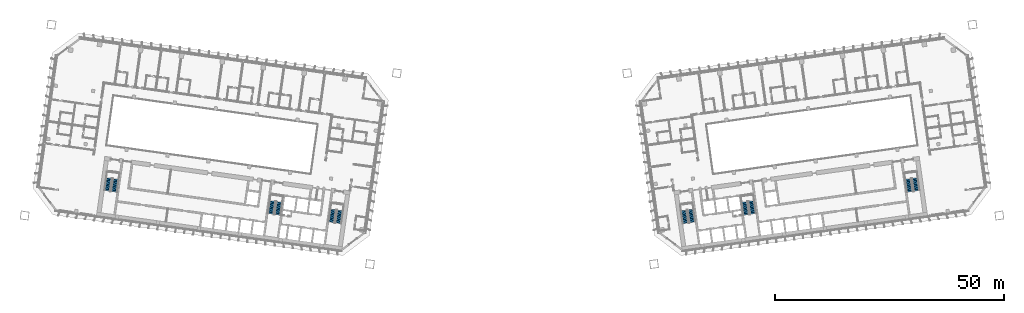
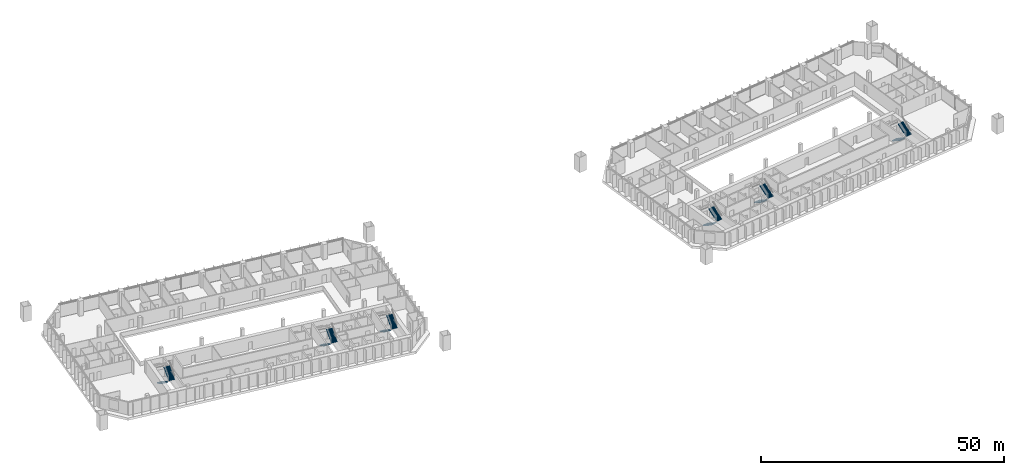
# One storey, part 22 of 24: 12 stair flights, 6 elements without a shape of their own.
"""IFC4 building model written with IfcOpenShell, lengths in metres."""

from ifc_helpers import new_model, si_unit, direction, frame, origin, place, context, subcontext, project, spatial, polyline, outline, extrude, material, type_object, element, aggregate, save


model = new_model("IFC4")

# Units and contexts
model_context = context("Model", 3, precision=1e-05, world=origin(), true_north=direction((0.0, 1.0)))
body_context = subcontext(model_context, "Body", "Model", "MODEL_VIEW")
ifc_project = project(units=[si_unit("LENGTHUNIT", "METRE"), si_unit("AREAUNIT", "SQUARE_METRE"), si_unit("VOLUMEUNIT", "CUBIC_METRE"), si_unit("PLANEANGLEUNIT", "RADIAN"), si_unit("MASSUNIT", "GRAM", prefix="KILO")], contexts=[model_context])

# Site, building, storey
site_placement = place(None, origin())
site = spatial("IfcSite", under=ifc_project, at=site_placement, CompositionType="ELEMENT")
building_placement = place(site_placement, origin())
building = spatial("IfcBuilding", under=site, at=building_placement, Name="Mirante Cascada Hotel Towers", CompositionType="ELEMENT")
storey_placement = place(building_placement, frame((0.0, 0.0, 43.3)))
storey = spatial("IfcBuildingStorey", under=building, at=storey_placement, Name="L07", CompositionType="ELEMENT", Elevation=43.3)

# Stair, stair flights
ifc_material_1 = material(Name="Concrete C35/45", Category="concrete")
stair_type = type_object("IfcStairType", Name="Exit stair half-turn 1350 concrete C35/45", PredefinedType="HALF_TURN_STAIR", material=ifc_material_1)
stair_1_placement = place(storey_placement, origin())
stair_1 = element("IfcStair", 1, at=stair_1_placement, inside=storey, type_object=stair_type, Name="L07 Exit stair A", PredefinedType="HALF_TURN_STAIR")
ifc_material_2 = material(Name="Concrete C35/45", Category="concrete")
stair_flight_type = type_object("IfcStairFlightType", Name="Exit stair flight 1350 concrete C35/45", PredefinedType="STRAIGHT", material=ifc_material_2)
stair_flight_1_placement = place(storey_placement, frame((-38.9417, -11.195, 0.0), z_axis=(0.0, 0.0, 1.0), x_axis=(-0.1391731, -0.9902681, 0.0)))
stair_flight_1 = element("IfcStairFlight", 2, at=stair_flight_1_placement, type_object=stair_flight_type, Name="ST1-A flight 1", NumberOfRisers=11, NumberOfTreads=10, PredefinedType="STRAIGHT", RiserHeight=0.172727273, TreadLength=0.28, context=body_context, shape_type="SweptSolid", body=[
    extrude(outline(polyline([(0.0, 0.0), (0.0, 0.1727), (0.28, 0.1727), (0.28, 0.3455), (0.56, 0.3455), (0.56, 0.5182), (0.84, 0.5182), (0.84, 0.6909), (1.12, 0.6909), (1.12, 0.8636), (1.4, 0.8636), (1.4, 1.0364), (1.68, 1.0364), (1.68, 1.2091), (1.96, 1.2091), (1.96, 1.3818), (2.24, 1.3818), (2.24, 1.5545), (2.52, 1.5545), (2.52, 1.7273), (2.8, 1.7273), (2.8, 1.9), (2.8, 1.551), (0.2857, 0.0), (0.0, 0.0)])), frame((0.0, 0.675, 0.0), z_axis=(0.0, -1.0, 0.0), x_axis=(1.0, 0.0, 0.0)), (0.0, 0.0, 1.0), 1.35),
])
stair_flight_2_placement = place(storey_placement, frame((-37.846, -14.1765, 1.9), z_axis=(0.0, 0.0, 1.0), x_axis=(0.1391731, 0.9902681, 0.0)))
stair_flight_2 = element("IfcStairFlight", 3, at=stair_flight_2_placement, type_object=stair_flight_type, Name="ST1-A flight 2", NumberOfRisers=11, NumberOfTreads=10, PredefinedType="STRAIGHT", RiserHeight=0.172727273, TreadLength=0.28, context=body_context, shape_type="SweptSolid", body=[
    extrude(outline(polyline([(0.0, 0.0), (0.0, 0.1727), (0.28, 0.1727), (0.28, 0.3455), (0.56, 0.3455), (0.56, 0.5182), (0.84, 0.5182), (0.84, 0.6909), (1.12, 0.6909), (1.12, 0.8636), (1.4, 0.8636), (1.4, 1.0364), (1.68, 1.0364), (1.68, 1.2091), (1.96, 1.2091), (1.96, 1.3818), (2.24, 1.3818), (2.24, 1.5545), (2.52, 1.5545), (2.52, 1.7273), (2.8, 1.7273), (2.8, 1.9), (2.8, 1.551), (0.2857, 0.0), (0.0, 0.0)])), frame((0.0, 0.675, 0.0), z_axis=(0.0, -1.0, 0.0), x_axis=(1.0, 0.0, 0.0)), (0.0, 0.0, 1.0), 1.35),
])
aggregate(stair_1, [stair_flight_1, stair_flight_2])

stair_2_placement = place(storey_placement, origin())
stair_2 = element("IfcStair", 4, at=stair_2_placement, inside=storey, type_object=stair_type, Name="L07 Exit stair B", PredefinedType="HALF_TURN_STAIR")
stair_flight_3_placement = place(storey_placement, frame((-52.1618, -9.3371, 0.0), z_axis=(0.0, 0.0, 1.0), x_axis=(-0.1391731, -0.9902681, 0.0)))
stair_flight_3 = element("IfcStairFlight", 5, at=stair_flight_3_placement, type_object=stair_flight_type, Name="ST1-B flight 1", NumberOfRisers=11, NumberOfTreads=10, PredefinedType="STRAIGHT", RiserHeight=0.172727273, TreadLength=0.28, context=body_context, shape_type="SweptSolid", body=[
    extrude(outline(polyline([(0.0, 0.0), (0.0, 0.1727), (0.28, 0.1727), (0.28, 0.3455), (0.56, 0.3455), (0.56, 0.5182), (0.84, 0.5182), (0.84, 0.6909), (1.12, 0.6909), (1.12, 0.8636), (1.4, 0.8636), (1.4, 1.0364), (1.68, 1.0364), (1.68, 1.2091), (1.96, 1.2091), (1.96, 1.3818), (2.24, 1.3818), (2.24, 1.5545), (2.52, 1.5545), (2.52, 1.7273), (2.8, 1.7273), (2.8, 1.9), (2.8, 1.551), (0.2857, 0.0), (0.0, 0.0)])), frame((0.0, 0.675, 0.0), z_axis=(0.0, -1.0, 0.0), x_axis=(1.0, 0.0, 0.0)), (0.0, 0.0, 1.0), 1.35),
])
stair_flight_4_placement = place(storey_placement, frame((-51.0661, -12.3186, 1.9), z_axis=(0.0, 0.0, 1.0), x_axis=(0.1391731, 0.9902681, 0.0)))
stair_flight_4 = element("IfcStairFlight", 6, at=stair_flight_4_placement, type_object=stair_flight_type, Name="ST1-B flight 2", NumberOfRisers=11, NumberOfTreads=10, PredefinedType="STRAIGHT", RiserHeight=0.172727273, TreadLength=0.28, context=body_context, shape_type="SweptSolid", body=[
    extrude(outline(polyline([(0.0, 0.0), (0.0, 0.1727), (0.28, 0.1727), (0.28, 0.3455), (0.56, 0.3455), (0.56, 0.5182), (0.84, 0.5182), (0.84, 0.6909), (1.12, 0.6909), (1.12, 0.8636), (1.4, 0.8636), (1.4, 1.0364), (1.68, 1.0364), (1.68, 1.2091), (1.96, 1.2091), (1.96, 1.3818), (2.24, 1.3818), (2.24, 1.5545), (2.52, 1.5545), (2.52, 1.7273), (2.8, 1.7273), (2.8, 1.9), (2.8, 1.551), (0.2857, 0.0), (0.0, 0.0)])), frame((0.0, 0.675, 0.0), z_axis=(0.0, -1.0, 0.0), x_axis=(1.0, 0.0, 0.0)), (0.0, 0.0, 1.0), 1.35),
])
aggregate(stair_2, [stair_flight_3, stair_flight_4])

stair_3_placement = place(storey_placement, origin())
stair_3 = element("IfcStair", 7, at=stair_3_placement, inside=storey, type_object=stair_type, Name="L07 Exit stair C", PredefinedType="HALF_TURN_STAIR")
stair_flight_5_placement = place(storey_placement, frame((-87.8115, -4.3268, 0.0), z_axis=(0.0, 0.0, 1.0), x_axis=(-0.1391731, -0.9902681, 0.0)))
stair_flight_5 = element("IfcStairFlight", 8, at=stair_flight_5_placement, type_object=stair_flight_type, Name="ST1-C flight 1", NumberOfRisers=11, NumberOfTreads=10, PredefinedType="STRAIGHT", RiserHeight=0.172727273, TreadLength=0.28, context=body_context, shape_type="SweptSolid", body=[
    extrude(outline(polyline([(0.0, 0.0), (0.0, 0.1727), (0.28, 0.1727), (0.28, 0.3455), (0.56, 0.3455), (0.56, 0.5182), (0.84, 0.5182), (0.84, 0.6909), (1.12, 0.6909), (1.12, 0.8636), (1.4, 0.8636), (1.4, 1.0364), (1.68, 1.0364), (1.68, 1.2091), (1.96, 1.2091), (1.96, 1.3818), (2.24, 1.3818), (2.24, 1.5545), (2.52, 1.5545), (2.52, 1.7273), (2.8, 1.7273), (2.8, 1.9), (2.8, 1.551), (0.2857, 0.0), (0.0, 0.0)])), frame((0.0, 0.675, 0.0), z_axis=(0.0, -1.0, 0.0), x_axis=(1.0, 0.0, 0.0)), (0.0, 0.0, 1.0), 1.35),
])
stair_flight_6_placement = place(storey_placement, frame((-86.7157, -7.3084, 1.9), z_axis=(0.0, 0.0, 1.0), x_axis=(0.1391731, 0.9902681, 0.0)))
stair_flight_6 = element("IfcStairFlight", 9, at=stair_flight_6_placement, type_object=stair_flight_type, Name="ST1-C flight 2", NumberOfRisers=11, NumberOfTreads=10, PredefinedType="STRAIGHT", RiserHeight=0.172727273, TreadLength=0.28, context=body_context, shape_type="SweptSolid", body=[
    extrude(outline(polyline([(0.0, 0.0), (0.0, 0.1727), (0.28, 0.1727), (0.28, 0.3455), (0.56, 0.3455), (0.56, 0.5182), (0.84, 0.5182), (0.84, 0.6909), (1.12, 0.6909), (1.12, 0.8636), (1.4, 0.8636), (1.4, 1.0364), (1.68, 1.0364), (1.68, 1.2091), (1.96, 1.2091), (1.96, 1.3818), (2.24, 1.3818), (2.24, 1.5545), (2.52, 1.5545), (2.52, 1.7273), (2.8, 1.7273), (2.8, 1.9), (2.8, 1.551), (0.2857, 0.0), (0.0, 0.0)])), frame((0.0, 0.675, 0.0), z_axis=(0.0, -1.0, 0.0), x_axis=(1.0, 0.0, 0.0)), (0.0, 0.0, 1.0), 1.35),
])
aggregate(stair_3, [stair_flight_5, stair_flight_6])

stair_4_placement = place(storey_placement, origin())
stair_4 = element("IfcStair", 10, at=stair_4_placement, inside=storey, type_object=stair_type, Name="L07 Exit stair A", PredefinedType="HALF_TURN_STAIR")
stair_flight_7_placement = place(storey_placement, frame((37.4563, -11.4038, 0.0), z_axis=(0.0, 0.0, 1.0), x_axis=(0.1391731, -0.9902681, 0.0)))
stair_flight_7 = element("IfcStairFlight", 11, at=stair_flight_7_placement, type_object=stair_flight_type, Name="ST2-A flight 1", NumberOfRisers=11, NumberOfTreads=10, PredefinedType="STRAIGHT", RiserHeight=0.172727273, TreadLength=0.28, context=body_context, shape_type="SweptSolid", body=[
    extrude(outline(polyline([(0.0, 0.0), (0.0, 0.1727), (0.28, 0.1727), (0.28, 0.3455), (0.56, 0.3455), (0.56, 0.5182), (0.84, 0.5182), (0.84, 0.6909), (1.12, 0.6909), (1.12, 0.8636), (1.4, 0.8636), (1.4, 1.0364), (1.68, 1.0364), (1.68, 1.2091), (1.96, 1.2091), (1.96, 1.3818), (2.24, 1.3818), (2.24, 1.5545), (2.52, 1.5545), (2.52, 1.7273), (2.8, 1.7273), (2.8, 1.9), (2.8, 1.551), (0.2857, 0.0), (0.0, 0.0)])), frame((0.0, 0.675, 0.0), z_axis=(0.0, -1.0, 0.0), x_axis=(1.0, 0.0, 0.0)), (0.0, 0.0, 1.0), 1.35),
])
stair_flight_8_placement = place(storey_placement, frame((39.3314, -13.9678, 1.9), z_axis=(0.0, 0.0, 1.0), x_axis=(-0.1391731, 0.9902681, 0.0)))
stair_flight_8 = element("IfcStairFlight", 12, at=stair_flight_8_placement, type_object=stair_flight_type, Name="ST2-A flight 2", NumberOfRisers=11, NumberOfTreads=10, PredefinedType="STRAIGHT", RiserHeight=0.172727273, TreadLength=0.28, context=body_context, shape_type="SweptSolid", body=[
    extrude(outline(polyline([(0.0, 0.0), (0.0, 0.1727), (0.28, 0.1727), (0.28, 0.3455), (0.56, 0.3455), (0.56, 0.5182), (0.84, 0.5182), (0.84, 0.6909), (1.12, 0.6909), (1.12, 0.8636), (1.4, 0.8636), (1.4, 1.0364), (1.68, 1.0364), (1.68, 1.2091), (1.96, 1.2091), (1.96, 1.3818), (2.24, 1.3818), (2.24, 1.5545), (2.52, 1.5545), (2.52, 1.7273), (2.8, 1.7273), (2.8, 1.9), (2.8, 1.551), (0.2857, 0.0), (0.0, 0.0)])), frame((0.0, 0.675, 0.0), z_axis=(0.0, -1.0, 0.0), x_axis=(1.0, 0.0, 0.0)), (0.0, 0.0, 1.0), 1.35),
])
aggregate(stair_4, [stair_flight_7, stair_flight_8])

stair_5_placement = place(storey_placement, origin())
stair_5 = element("IfcStair", 13, at=stair_5_placement, inside=storey, type_object=stair_type, Name="L07 Exit stair B", PredefinedType="HALF_TURN_STAIR")
stair_flight_9_placement = place(storey_placement, frame((50.6764, -9.5458, 0.0), z_axis=(0.0, 0.0, 1.0), x_axis=(0.1391731, -0.9902681, 0.0)))
stair_flight_9 = element("IfcStairFlight", 14, at=stair_flight_9_placement, type_object=stair_flight_type, Name="ST2-B flight 1", NumberOfRisers=11, NumberOfTreads=10, PredefinedType="STRAIGHT", RiserHeight=0.172727273, TreadLength=0.28, context=body_context, shape_type="SweptSolid", body=[
    extrude(outline(polyline([(0.0, 0.0), (0.0, 0.1727), (0.28, 0.1727), (0.28, 0.3455), (0.56, 0.3455), (0.56, 0.5182), (0.84, 0.5182), (0.84, 0.6909), (1.12, 0.6909), (1.12, 0.8636), (1.4, 0.8636), (1.4, 1.0364), (1.68, 1.0364), (1.68, 1.2091), (1.96, 1.2091), (1.96, 1.3818), (2.24, 1.3818), (2.24, 1.5545), (2.52, 1.5545), (2.52, 1.7273), (2.8, 1.7273), (2.8, 1.9), (2.8, 1.551), (0.2857, 0.0), (0.0, 0.0)])), frame((0.0, 0.675, 0.0), z_axis=(0.0, -1.0, 0.0), x_axis=(1.0, 0.0, 0.0)), (0.0, 0.0, 1.0), 1.35),
])
stair_flight_10_placement = place(storey_placement, frame((52.5515, -12.1098, 1.9), z_axis=(0.0, 0.0, 1.0), x_axis=(-0.1391731, 0.9902681, 0.0)))
stair_flight_10 = element("IfcStairFlight", 15, at=stair_flight_10_placement, type_object=stair_flight_type, Name="ST2-B flight 2", NumberOfRisers=11, NumberOfTreads=10, PredefinedType="STRAIGHT", RiserHeight=0.172727273, TreadLength=0.28, context=body_context, shape_type="SweptSolid", body=[
    extrude(outline(polyline([(0.0, 0.0), (0.0, 0.1727), (0.28, 0.1727), (0.28, 0.3455), (0.56, 0.3455), (0.56, 0.5182), (0.84, 0.5182), (0.84, 0.6909), (1.12, 0.6909), (1.12, 0.8636), (1.4, 0.8636), (1.4, 1.0364), (1.68, 1.0364), (1.68, 1.2091), (1.96, 1.2091), (1.96, 1.3818), (2.24, 1.3818), (2.24, 1.5545), (2.52, 1.5545), (2.52, 1.7273), (2.8, 1.7273), (2.8, 1.9), (2.8, 1.551), (0.2857, 0.0), (0.0, 0.0)])), frame((0.0, 0.675, 0.0), z_axis=(0.0, -1.0, 0.0), x_axis=(1.0, 0.0, 0.0)), (0.0, 0.0, 1.0), 1.35),
])
aggregate(stair_5, [stair_flight_9, stair_flight_10])

stair_6_placement = place(storey_placement, origin())
stair_6 = element("IfcStair", 16, at=stair_6_placement, inside=storey, type_object=stair_type, Name="L07 Exit stair C", PredefinedType="HALF_TURN_STAIR")
stair_flight_11_placement = place(storey_placement, frame((86.326, -4.5356, 0.0), z_axis=(0.0, 0.0, 1.0), x_axis=(0.1391731, -0.9902681, 0.0)))
stair_flight_11 = element("IfcStairFlight", 17, at=stair_flight_11_placement, type_object=stair_flight_type, Name="ST2-C flight 1", NumberOfRisers=11, NumberOfTreads=10, PredefinedType="STRAIGHT", RiserHeight=0.172727273, TreadLength=0.28, context=body_context, shape_type="SweptSolid", body=[
    extrude(outline(polyline([(0.0, 0.0), (0.0, 0.1727), (0.28, 0.1727), (0.28, 0.3455), (0.56, 0.3455), (0.56, 0.5182), (0.84, 0.5182), (0.84, 0.6909), (1.12, 0.6909), (1.12, 0.8636), (1.4, 0.8636), (1.4, 1.0364), (1.68, 1.0364), (1.68, 1.2091), (1.96, 1.2091), (1.96, 1.3818), (2.24, 1.3818), (2.24, 1.5545), (2.52, 1.5545), (2.52, 1.7273), (2.8, 1.7273), (2.8, 1.9), (2.8, 1.551), (0.2857, 0.0), (0.0, 0.0)])), frame((0.0, 0.675, 0.0), z_axis=(0.0, -1.0, 0.0), x_axis=(1.0, 0.0, 0.0)), (0.0, 0.0, 1.0), 1.35),
])
stair_flight_12_placement = place(storey_placement, frame((88.2011, -7.0996, 1.9), z_axis=(0.0, 0.0, 1.0), x_axis=(-0.1391731, 0.9902681, 0.0)))
stair_flight_12 = element("IfcStairFlight", 18, at=stair_flight_12_placement, type_object=stair_flight_type, Name="ST2-C flight 2", NumberOfRisers=11, NumberOfTreads=10, PredefinedType="STRAIGHT", RiserHeight=0.172727273, TreadLength=0.28, context=body_context, shape_type="SweptSolid", body=[
    extrude(outline(polyline([(0.0, 0.0), (0.0, 0.1727), (0.28, 0.1727), (0.28, 0.3455), (0.56, 0.3455), (0.56, 0.5182), (0.84, 0.5182), (0.84, 0.6909), (1.12, 0.6909), (1.12, 0.8636), (1.4, 0.8636), (1.4, 1.0364), (1.68, 1.0364), (1.68, 1.2091), (1.96, 1.2091), (1.96, 1.3818), (2.24, 1.3818), (2.24, 1.5545), (2.52, 1.5545), (2.52, 1.7273), (2.8, 1.7273), (2.8, 1.9), (2.8, 1.551), (0.2857, 0.0), (0.0, 0.0)])), frame((0.0, 0.675, 0.0), z_axis=(0.0, -1.0, 0.0), x_axis=(1.0, 0.0, 0.0)), (0.0, 0.0, 1.0), 1.35),
])
aggregate(stair_6, [stair_flight_11, stair_flight_12])

save(model, "model.ifc")
